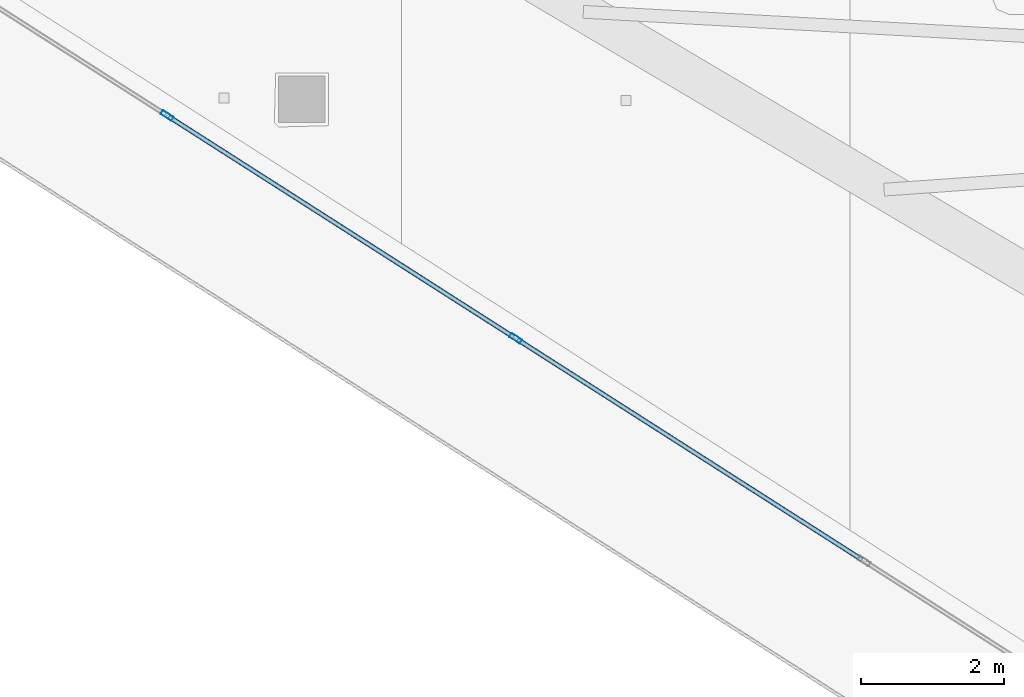
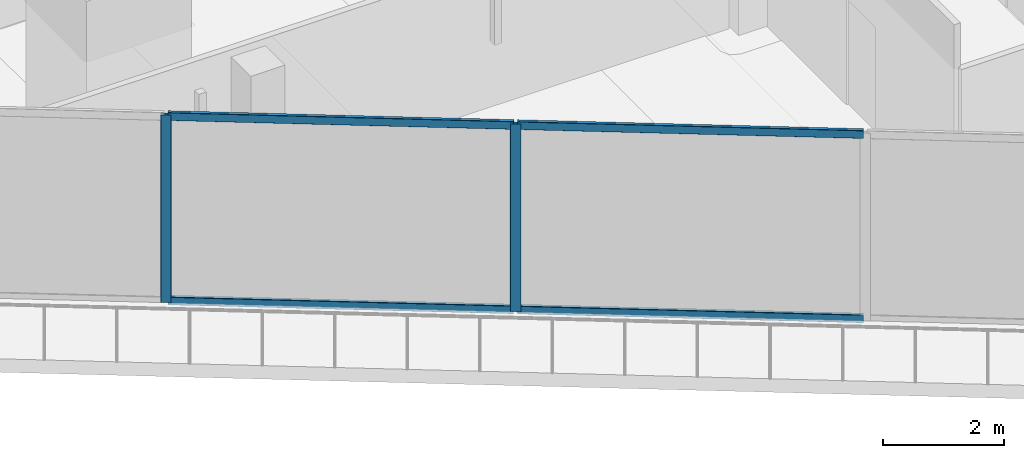
# One storey, part 6 of 37: 6 members, 1 element without a shape of its own.
"""IFC4 building model written with IfcOpenShell, lengths in metres."""

from ifc_helpers import new_model, si_unit, direction, frame, origin, origin_2d, place, context, subcontext, project, spatial, hollow_rectangle, extrude, material, layer, layer_set, material_profile, profile_set, type_object, element, aggregate, save


model = new_model("IFC4")

# Units and contexts
model_context = context("Model", 3, precision=1e-05, world=origin(), true_north=direction((0.0, 1.0)))
body_context = subcontext(model_context, "Body", "Model", "MODEL_VIEW")
ifc_project = project(units=[si_unit("LENGTHUNIT", "METRE"), si_unit("AREAUNIT", "SQUARE_METRE"), si_unit("VOLUMEUNIT", "CUBIC_METRE"), si_unit("PLANEANGLEUNIT", "RADIAN"), si_unit("MASSUNIT", "GRAM", prefix="KILO")], contexts=[model_context])

# Site, building, storey
site_placement = place(None, origin())
site = spatial("IfcSite", under=ifc_project, at=site_placement, CompositionType="ELEMENT")
building_placement = place(site_placement, origin())
building = spatial("IfcBuilding", under=site, at=building_placement, Name="Qorvath Tower", CompositionType="ELEMENT")
storey_placement = place(building_placement, frame((0.0, 0.0, 188.85009765625)))
storey = spatial("IfcBuildingStorey", under=building, at=storey_placement, Name="L43", CompositionType="ELEMENT", Elevation=188.85009765625)

# Curtain wall, members
ifc_material_1 = material(Name="Anodised aluminium and triple low-E glass", Category="aluminium")
ifc_layer = layer(ifc_material_1, 0.179931640625)
ifc_layer_set = layer_set([ifc_layer], Name="CW-SYS-3")
curtain_wall_type = type_object("IfcCurtainWallType", Name="CW-SYS-3", PredefinedType="NOTDEFINED", material=ifc_layer_set)
curtain_wall_placement = place(storey_placement, origin())
curtain_wall = element("IfcCurtainWall", 1, at=curtain_wall_placement, inside=storey, type_object=curtain_wall_type, Name="Curtain Wall CW-3 CW-T-L43-2.1", PredefinedType="NOTDEFINED")
ifc_material_2 = material(Name="Anodised aluminium 6063-T6", Category="aluminium")
ifc_material_profile_1 = material_profile(ifc_material_2, hollow_rectangle(XDim=0.06494140625, YDim=0.179931640625, WallThickness=0.00341796875, InnerFilletRadius=0.00341796875, OuterFilletRadius=0.007080078125, at=origin_2d()), Name="CWM 180x65")
ifc_profile_set_1 = profile_set([ifc_material_profile_1], Name="Anodised aluminium 6063-T6")
member_type_1 = type_object("IfcMemberType", Name="CWM-180", PredefinedType="MULLION", material=ifc_profile_set_1)
member_1_placement = place(storey_placement, frame((-50.461669921875, -6.649658203125, 0.0), z_axis=(0.0, 0.0, 1.0), x_axis=(0.53852951489, 0.842606647014, 0.0)))
member_1 = element("IfcMember", 2, at=member_1_placement, type_object=member_type_1, Name="CW-3 mullion 2", PredefinedType="MULLION", context=body_context, shape_type="SweptSolid", body=[
    extrude(hollow_rectangle(XDim=0.06494140625, YDim=0.179931640625, WallThickness=0.00341796875, InnerFilletRadius=0.00341796875, OuterFilletRadius=0.007080078125, at=origin_2d()), origin(), (0.0, 0.0, 1.0), 3.77978515625),
])
member_2_placement = place(storey_placement, frame((-45.595458984375, -9.759765625, 0.0), z_axis=(0.0, 0.0, 1.0), x_axis=(0.53852951489, 0.842606647014, 0.0)))
member_2 = element("IfcMember", 3, at=member_2_placement, type_object=member_type_1, Name="CW-3 mullion 3", PredefinedType="MULLION", context=body_context, shape_type="SweptSolid", body=[
    extrude(hollow_rectangle(XDim=0.06494140625, YDim=0.179931640625, WallThickness=0.00341796875, InnerFilletRadius=0.00341796875, OuterFilletRadius=0.007080078125, at=origin_2d()), origin(), (0.0, 0.0, 1.0), 3.77978515625),
])
ifc_material_3 = material(Name="Anodised aluminium 6063-T6", Category="aluminium")
ifc_material_profile_2 = material_profile(ifc_material_3, hollow_rectangle(XDim=0.06494140625, YDim=0.159912109375, WallThickness=0.00341796875, InnerFilletRadius=0.00341796875, OuterFilletRadius=0.007080078125, at=origin_2d()), Name="CWT 160x65")
ifc_profile_set_2 = profile_set([ifc_material_profile_2], Name="Anodised aluminium 6063-T6")
member_type_2 = type_object("IfcMemberType", Name="CWT-160", PredefinedType="USERDEFINED", material=ifc_profile_set_2)
member_3_placement = place(storey_placement, frame((-50.434326171875, -6.667236328125, 0.032470703125), z_axis=(0.84260356986, -0.538534329509, 0.0), x_axis=(0.538534329509, 0.84260356986, 0.0)))
member_3 = element("IfcMember", 4, at=member_3_placement, type_object=member_type_2, Name="CW-3 transom 2.1", ObjectType="TRANSOM", PredefinedType="USERDEFINED", context=body_context, shape_type="SweptSolid", body=[
    extrude(hollow_rectangle(XDim=0.06494140625, YDim=0.159912109375, WallThickness=0.00341796875, InnerFilletRadius=0.00341796875, OuterFilletRadius=0.007080078125, at=origin_2d()), origin(), (0.0, 0.0, 1.0), 5.710205078125),
])
member_4_placement = place(storey_placement, frame((-50.434326171875, -6.667236328125, 3.747314453125), z_axis=(0.84260356986, -0.538534329509, 0.0), x_axis=(0.538534329509, 0.84260356986, 0.0)))
member_4 = element("IfcMember", 5, at=member_4_placement, type_object=member_type_2, Name="CW-3 transom 2.2", ObjectType="TRANSOM", PredefinedType="USERDEFINED", context=body_context, shape_type="SweptSolid", body=[
    extrude(hollow_rectangle(XDim=0.06494140625, YDim=0.159912109375, WallThickness=0.00341796875, InnerFilletRadius=0.00341796875, OuterFilletRadius=0.007080078125, at=origin_2d()), origin(), (0.0, 0.0, 1.0), 5.710205078125),
])
member_5_placement = place(storey_placement, frame((-45.568115234375, -9.77734375, 0.032470703125), z_axis=(0.84260356986, -0.538534329509, 0.0), x_axis=(0.538534329509, 0.84260356986, 0.0)))
member_5 = element("IfcMember", 6, at=member_5_placement, type_object=member_type_2, Name="CW-3 transom 3.1", ObjectType="TRANSOM", PredefinedType="USERDEFINED", context=body_context, shape_type="SweptSolid", body=[
    extrude(hollow_rectangle(XDim=0.06494140625, YDim=0.159912109375, WallThickness=0.00341796875, InnerFilletRadius=0.00341796875, OuterFilletRadius=0.007080078125, at=origin_2d()), origin(), (0.0, 0.0, 1.0), 5.710205078125),
])
member_6_placement = place(storey_placement, frame((-45.568115234375, -9.77734375, 3.747314453125), z_axis=(0.84260356986, -0.538534329509, 0.0), x_axis=(0.538534329509, 0.84260356986, 0.0)))
member_6 = element("IfcMember", 7, at=member_6_placement, type_object=member_type_2, Name="CW-3 transom 3.2", ObjectType="TRANSOM", PredefinedType="USERDEFINED", context=body_context, shape_type="SweptSolid", body=[
    extrude(hollow_rectangle(XDim=0.06494140625, YDim=0.159912109375, WallThickness=0.00341796875, InnerFilletRadius=0.00341796875, OuterFilletRadius=0.007080078125, at=origin_2d()), origin(), (0.0, 0.0, 1.0), 5.710205078125),
])
aggregate(curtain_wall, [member_1, member_2, member_3, member_4, member_5, member_6])

save(model, "model.ifc")
